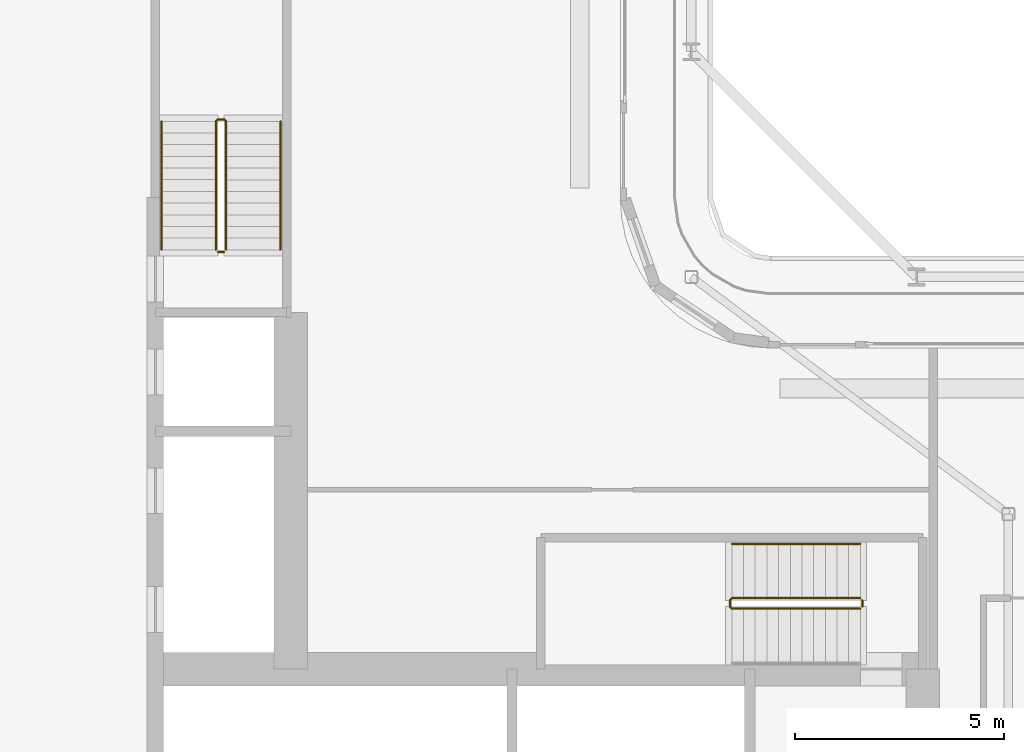
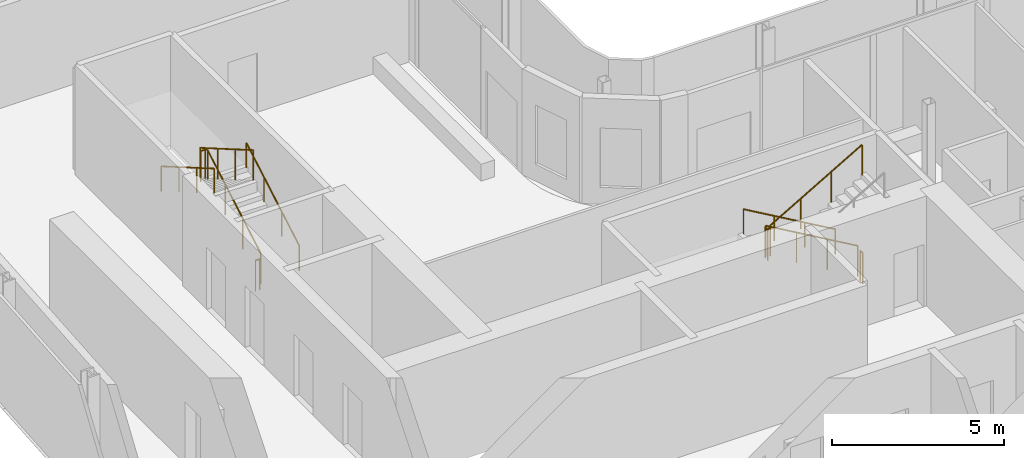
# One storey, part 25 of 30: 7 railings.
"""IFC4 building model written with IfcOpenShell, lengths in metres."""

from ifc_helpers import new_model, si_unit, direction, frame, origin, origin_2d, place, context, subcontext, project, spatial, circle, extrude, material, type_object, element, save


model = new_model("IFC4")

# Units and contexts
model_context = context("Model", 3, precision=1e-05, world=origin(), true_north=direction((0.0, 1.0)))
body_context = subcontext(model_context, "Body", "Model", "MODEL_VIEW")
ifc_project = project(units=[si_unit("LENGTHUNIT", "METRE"), si_unit("AREAUNIT", "SQUARE_METRE"), si_unit("VOLUMEUNIT", "CUBIC_METRE"), si_unit("PLANEANGLEUNIT", "RADIAN"), si_unit("MASSUNIT", "GRAM", prefix="KILO")], contexts=[model_context])

# Site, building, storey
site_placement = place(None, origin())
site = spatial("IfcSite", under=ifc_project, at=site_placement, CompositionType="ELEMENT")
building_placement = place(site_placement, origin())
building = spatial("IfcBuilding", under=site, at=building_placement, Name="Kheshtan School and Residences Tower", CompositionType="ELEMENT")
storey_placement = place(building_placement, frame((0.0, 0.0, 199.39990234375)))
storey = spatial("IfcBuildingStorey", under=building, at=storey_placement, Name="L47", CompositionType="ELEMENT", Elevation=199.39990234375)

# Railings
ifc_material_1 = material(Name="Stainless steel balustrade", Category="steel")
railing_type_1 = type_object("IfcRailingType", Name="Stair guard 1100", PredefinedType="GUARDRAIL", material=ifc_material_1)
railing_1_placement = place(storey_placement, frame((51.64990234375, 37.89990234375, 0.16259765625)))
element("IfcRailing", 1, at=railing_1_placement, inside=storey, type_object=railing_type_1, Name="L47 ST1 stair guard 1", PredefinedType="GUARDRAIL", context=body_context, shape_type="SweptSolid", body=[
    extrude(circle(Radius=0.02392578125, at=origin_2d()), frame((0.0, 0.0, 1.076171875), z_axis=(-0.864873446163, 0.0, 0.501989962173), x_axis=(0.0, -1.0, 0.0)), (0.0, 0.0, 1.0), 3.56103515625),
    extrude(circle(Radius=0.02392578125, at=origin_2d()), frame((-3.079833984375, 0.0, 2.86376953125), z_axis=(-0.708833529934, -0.705375805398, 0.0), x_axis=(0.705375805398, -0.708833529934, 0.0)), (0.0, 0.0, 1.0), 0.070556640625),
    extrude(circle(Radius=0.02392578125, at=origin_2d()), frame((-3.1298828125, -0.0498046875, 2.86376953125), z_axis=(0.0, -1.0, 0.0), x_axis=(1.0, 0.0, 0.0)), (0.0, 0.0, 1.0), 0.150146484375),
    extrude(circle(Radius=0.02392578125, at=origin_2d()), frame((-3.1298828125, -0.199951171875, 2.86376953125), z_axis=(0.282583949758, -0.282583949758, 0.916674763849), x_axis=(0.707106781187, 0.707106781187, 0.0)), (0.0, 0.0, 1.0), 0.177001953125),
    extrude(circle(Radius=0.02392578125, at=origin_2d()), frame((-3.079833984375, -0.25, 3.02587890625), z_axis=(0.864873446163, 0.0, 0.501989962173), x_axis=(0.0, 1.0, 0.0)), (0.0, 0.0, 1.0), 3.56103515625),
    extrude(circle(Radius=0.02099609375, at=origin_2d()), origin(), (0.0, 0.0, 1.0), 1.052001953125),
    extrude(circle(Radius=0.02099609375, at=origin_2d()), frame((-1.026611328125, 0.0, 0.595947265625)), (0.0, 0.0, 1.0), 1.052001953125),
    extrude(circle(Radius=0.02099609375, at=origin_2d()), frame((-2.05322265625, 0.0, 1.191650390625)), (0.0, 0.0, 1.0), 1.052001953125),
    extrude(circle(Radius=0.02099609375, at=origin_2d()), frame((-3.079833984375, 0.0, 1.78759765625)), (0.0, 0.0, 1.0), 1.052001953125),
    extrude(circle(Radius=0.02099609375, at=origin_2d()), frame((-3.1298828125, -0.0498046875, 1.78759765625)), (0.0, 0.0, 1.0), 1.052001953125),
    extrude(circle(Radius=0.02099609375, at=origin_2d()), frame((-3.1298828125, -0.199951171875, 1.78759765625)), (0.0, 0.0, 1.0), 1.052001953125),
    extrude(circle(Radius=0.02099609375, at=origin_2d()), frame((-3.079833984375, -0.25, 1.949951171875)), (0.0, 0.0, 1.0), 1.052001953125),
    extrude(circle(Radius=0.02099609375, at=origin_2d()), frame((-2.05322265625, -0.25, 2.5458984375)), (0.0, 0.0, 1.0), 1.052001953125),
    extrude(circle(Radius=0.02099609375, at=origin_2d()), frame((-1.026611328125, -0.25, 3.1416015625)), (0.0, 0.0, 1.0), 1.052001953125),
    extrude(circle(Radius=0.02099609375, at=origin_2d()), frame((0.0, -0.25, 3.737548828125)), (0.0, 0.0, 1.0), 1.052001953125),
])
railing_2_placement = place(storey_placement, frame((51.699951171875, 37.85009765625, 0.0)))
element("IfcRailing", 2, at=railing_2_placement, inside=storey, type_object=railing_type_1, Name="L47 ST1 stair guard 2", PredefinedType="GUARDRAIL", context=body_context, shape_type="SweptSolid", body=[
    extrude(circle(Radius=0.02392578125, at=origin_2d()), frame((0.0, 0.0, 1.076171875), z_axis=(0.0, -1.0, 0.0), x_axis=(1.0, 0.0, 0.0)), (0.0, 0.0, 1.0), 0.150146484375),
    extrude(circle(Radius=0.02099609375, at=origin_2d()), origin(), (0.0, 0.0, 1.0), 1.052001953125),
    extrude(circle(Radius=0.02099609375, at=origin_2d()), frame((0.0, -0.150146484375, 0.0)), (0.0, 0.0, 1.0), 1.052001953125),
])
railing_3_placement = place(storey_placement, frame((36.449951171875, 46.25, 0.16259765625)))
element("IfcRailing", 3, at=railing_3_placement, inside=storey, type_object=railing_type_1, Name="L47 ST2 stair guard 1", PredefinedType="GUARDRAIL", context=body_context, shape_type="SweptSolid", body=[
    extrude(circle(Radius=0.02392578125, at=origin_2d()), frame((0.0, 0.0, 1.076171875), z_axis=(0.0, 0.864890721111, 0.501960198159), x_axis=(-1.0, 0.0, 0.0)), (0.0, 0.0, 1.0), 3.561279296875),
    extrude(circle(Radius=0.02392578125, at=origin_2d()), frame((0.0, 3.080078125, 2.86376953125), z_axis=(-0.708833529934, 0.705375805398, 0.0), x_axis=(-0.705375805398, -0.708833529934, 0.0)), (0.0, 0.0, 1.0), 0.070556640625),
    extrude(circle(Radius=0.02392578125, at=origin_2d()), frame((-0.050048828125, 3.1298828125, 2.86376953125), z_axis=(-1.0, 0.0, 0.0), x_axis=(0.0, -1.0, 0.0)), (0.0, 0.0, 1.0), 0.14990234375),
    extrude(circle(Radius=0.02392578125, at=origin_2d()), frame((-0.199951171875, 3.1298828125, 2.86376953125), z_axis=(-0.282693820306, -0.281314826061, 0.917031173188), x_axis=(0.705375805398, -0.708833529934, 0.0)), (0.0, 0.0, 1.0), 0.177001953125),
    extrude(circle(Radius=0.02392578125, at=origin_2d()), frame((-0.25, 3.080078125, 3.02587890625), z_axis=(0.0, -0.864890721111, 0.501960198159), x_axis=(1.0, 0.0, 0.0)), (0.0, 0.0, 1.0), 3.561279296875),
    extrude(circle(Radius=0.02099609375, at=origin_2d()), origin(), (0.0, 0.0, 1.0), 1.052001953125),
    extrude(circle(Radius=0.02099609375, at=origin_2d()), frame((0.0, 1.026611328125, 0.595947265625)), (0.0, 0.0, 1.0), 1.052001953125),
    extrude(circle(Radius=0.02099609375, at=origin_2d()), frame((0.0, 2.053466796875, 1.191650390625)), (0.0, 0.0, 1.0), 1.052001953125),
    extrude(circle(Radius=0.02099609375, at=origin_2d()), frame((0.0, 3.080078125, 1.78759765625)), (0.0, 0.0, 1.0), 1.052001953125),
    extrude(circle(Radius=0.02099609375, at=origin_2d()), frame((-0.050048828125, 3.1298828125, 1.78759765625)), (0.0, 0.0, 1.0), 1.052001953125),
    extrude(circle(Radius=0.02099609375, at=origin_2d()), frame((-0.199951171875, 3.1298828125, 1.78759765625)), (0.0, 0.0, 1.0), 1.052001953125),
    extrude(circle(Radius=0.02099609375, at=origin_2d()), frame((-0.25, 3.080078125, 1.949951171875)), (0.0, 0.0, 1.0), 1.052001953125),
    extrude(circle(Radius=0.02099609375, at=origin_2d()), frame((-0.25, 2.053466796875, 2.5458984375)), (0.0, 0.0, 1.0), 1.052001953125),
    extrude(circle(Radius=0.02099609375, at=origin_2d()), frame((-0.25, 1.026611328125, 3.1416015625)), (0.0, 0.0, 1.0), 1.052001953125),
    extrude(circle(Radius=0.02099609375, at=origin_2d()), frame((-0.25, 0.0, 3.737548828125)), (0.0, 0.0, 1.0), 1.052001953125),
])
railing_4_placement = place(storey_placement, frame((36.39990234375, 46.199951171875, 0.0)))
element("IfcRailing", 4, at=railing_4_placement, inside=storey, type_object=railing_type_1, Name="L47 ST2 stair guard 2", PredefinedType="GUARDRAIL", context=body_context, shape_type="SweptSolid", body=[
    extrude(circle(Radius=0.02392578125, at=origin_2d()), frame((0.0, 0.0, 1.076171875), z_axis=(-1.0, 0.0, 0.0), x_axis=(0.0, -1.0, 0.0)), (0.0, 0.0, 1.0), 0.14990234375),
    extrude(circle(Radius=0.02099609375, at=origin_2d()), origin(), (0.0, 0.0, 1.0), 1.052001953125),
    extrude(circle(Radius=0.02099609375, at=origin_2d()), frame((-0.14990234375, 0.0, 0.0)), (0.0, 0.0, 1.0), 1.052001953125),
])
ifc_material_2 = material(Name="Stainless steel handrail", Category="steel")
railing_type_2 = type_object("IfcRailingType", Name="Stair handrail 900", PredefinedType="HANDRAIL", material=ifc_material_2)
railing_5_placement = place(storey_placement, frame((51.64990234375, 39.199951171875, 0.16259765625)))
element("IfcRailing", 5, at=railing_5_placement, inside=storey, type_object=railing_type_2, Name="L47 ST1 stair handrail 1", PredefinedType="HANDRAIL", context=body_context, shape_type="SweptSolid", body=[
    extrude(circle(Radius=0.02392578125, at=origin_2d()), frame((0.0, 0.0, 0.8759765625), z_axis=(-0.864873446163, 0.0, 0.501989962173), x_axis=(0.0, -1.0, 0.0)), (0.0, 0.0, 1.0), 3.56103515625),
    extrude(circle(Radius=0.02099609375, at=origin_2d()), origin(), (0.0, 0.0, 1.0), 0.851806640625),
    extrude(circle(Radius=0.02099609375, at=origin_2d()), frame((-1.026611328125, 0.0, 0.595947265625)), (0.0, 0.0, 1.0), 0.851806640625),
    extrude(circle(Radius=0.02099609375, at=origin_2d()), frame((-2.05322265625, 0.0, 1.191650390625)), (0.0, 0.0, 1.0), 0.851806640625),
    extrude(circle(Radius=0.02099609375, at=origin_2d()), frame((-3.079833984375, 0.0, 1.78759765625)), (0.0, 0.0, 1.0), 0.851806640625),
])
railing_6_placement = place(storey_placement, frame((37.75, 46.25, 0.16259765625)))
element("IfcRailing", 6, at=railing_6_placement, inside=storey, type_object=railing_type_2, Name="L47 ST2 stair handrail 1", PredefinedType="HANDRAIL", context=body_context, shape_type="SweptSolid", body=[
    extrude(circle(Radius=0.02392578125, at=origin_2d()), frame((0.0, 0.0, 0.8759765625), z_axis=(0.0, 0.864890721111, 0.501960198159), x_axis=(-1.0, 0.0, 0.0)), (0.0, 0.0, 1.0), 3.561279296875),
    extrude(circle(Radius=0.02099609375, at=origin_2d()), origin(), (0.0, 0.0, 1.0), 0.851806640625),
    extrude(circle(Radius=0.02099609375, at=origin_2d()), frame((0.0, 1.026611328125, 0.595947265625)), (0.0, 0.0, 1.0), 0.851806640625),
    extrude(circle(Radius=0.02099609375, at=origin_2d()), frame((0.0, 2.053466796875, 1.191650390625)), (0.0, 0.0, 1.0), 0.851806640625),
    extrude(circle(Radius=0.02099609375, at=origin_2d()), frame((0.0, 3.080078125, 1.78759765625)), (0.0, 0.0, 1.0), 0.851806640625),
])
railing_7_placement = place(storey_placement, frame((34.89990234375, 49.330078125, 2.112548828125)))
element("IfcRailing", 7, at=railing_7_placement, inside=storey, type_object=railing_type_2, Name="L47 ST2 stair handrail 2", PredefinedType="HANDRAIL", context=body_context, shape_type="SweptSolid", body=[
    extrude(circle(Radius=0.02392578125, at=origin_2d()), frame((0.0, 0.0, 0.8759765625), z_axis=(0.0, -0.864890721111, 0.501960198159), x_axis=(1.0, 0.0, 0.0)), (0.0, 0.0, 1.0), 3.561279296875),
    extrude(circle(Radius=0.02099609375, at=origin_2d()), origin(), (0.0, 0.0, 1.0), 0.851806640625),
    extrude(circle(Radius=0.02099609375, at=origin_2d()), frame((0.0, -1.026611328125, 0.595947265625)), (0.0, 0.0, 1.0), 0.851806640625),
    extrude(circle(Radius=0.02099609375, at=origin_2d()), frame((0.0, -2.053466796875, 1.191650390625)), (0.0, 0.0, 1.0), 0.851806640625),
    extrude(circle(Radius=0.02099609375, at=origin_2d()), frame((0.0, -3.080078125, 1.78759765625)), (0.0, 0.0, 1.0), 0.851806640625),
])

save(model, "model.ifc")
